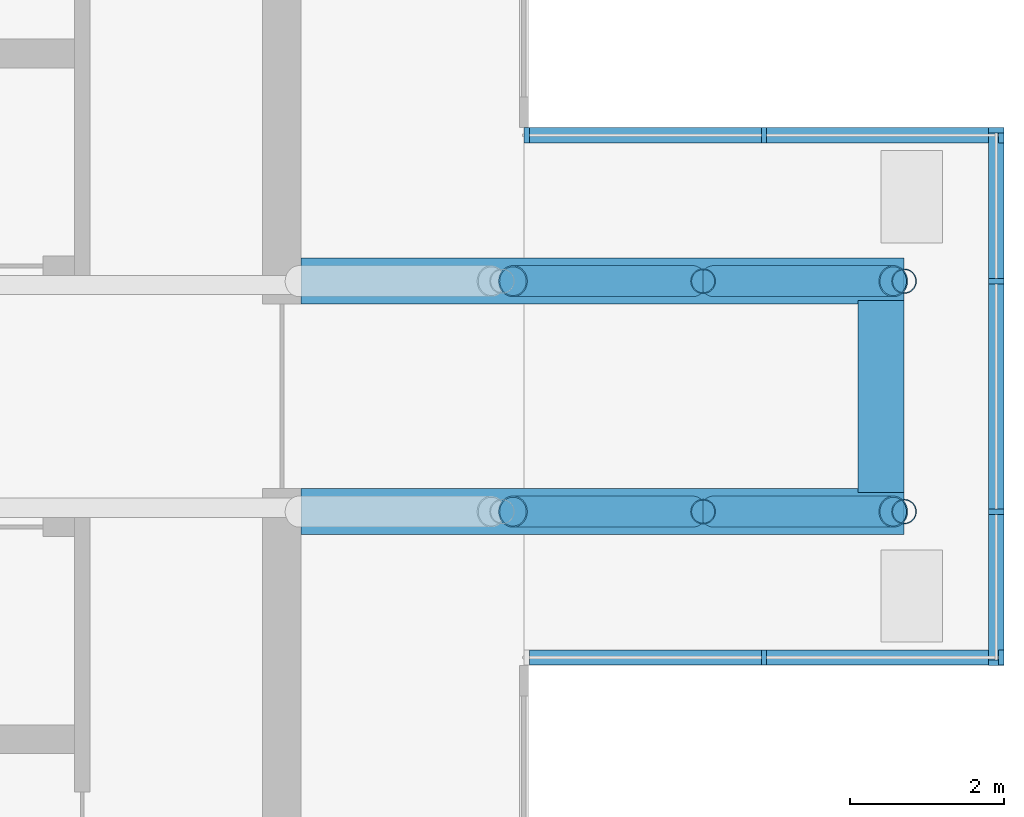
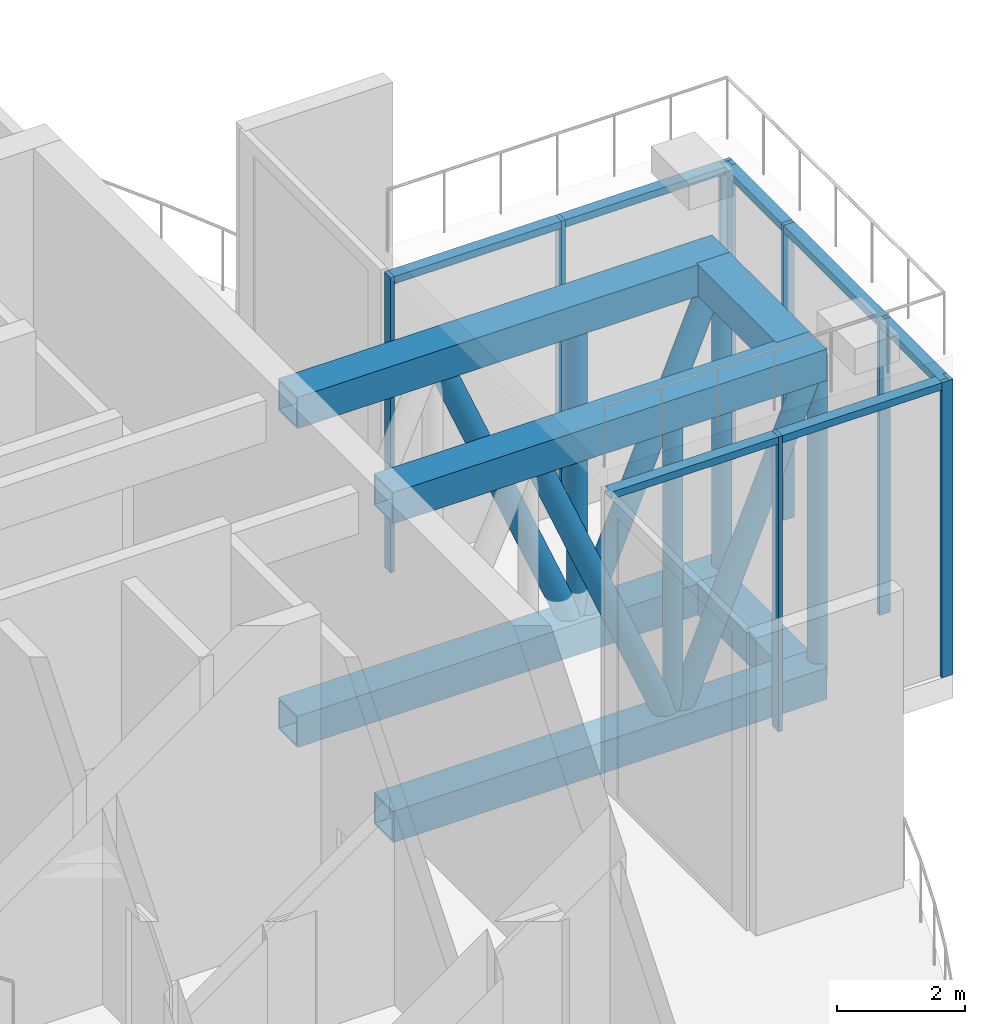
# One storey, part 8 of 24: 24 members, 6 beams, 3 elements without a shape of their own.
"""IFC4 building model written with IfcOpenShell, lengths in metres."""

from ifc_helpers import new_model, si_unit, direction, frame, origin, origin_2d, place, context, subcontext, project, spatial, rectangle, hollow_rectangle, hollow_circle, extrude, material, layer, layer_set, material_profile, profile_set, type_object, element, aggregate, save


model = new_model("IFC4")

# Units and contexts
model_context = context("Model", 3, precision=1e-05, world=origin(), true_north=direction((0.0, 1.0)))
body_context = subcontext(model_context, "Body", "Model", "MODEL_VIEW")
ifc_project = project(units=[si_unit("LENGTHUNIT", "METRE"), si_unit("AREAUNIT", "SQUARE_METRE"), si_unit("VOLUMEUNIT", "CUBIC_METRE"), si_unit("PLANEANGLEUNIT", "RADIAN"), si_unit("MASSUNIT", "GRAM", prefix="KILO")], contexts=[model_context])

# Site, building, storey
site_placement = place(None, origin())
site = spatial("IfcSite", under=ifc_project, at=site_placement, CompositionType="ELEMENT")
building_placement = place(site_placement, origin())
building = spatial("IfcBuilding", under=site, at=building_placement, Name="Maasbend Ring Residences", CompositionType="ELEMENT")
storey_placement = place(building_placement, frame((0.0, 0.0, 179.89990234375)))
storey = spatial("IfcBuildingStorey", under=building, at=storey_placement, Name="L52", CompositionType="ELEMENT", Elevation=179.89990234375)

# Curtain wall, members
ifc_material_1 = material(Name="Aluminium and clear glass", Category="aluminium")
ifc_layer = layer(ifc_material_1, 0.199951171875)
ifc_layer_set = layer_set([ifc_layer], Name="CW-GR")
curtain_wall_type = type_object("IfcCurtainWallType", Name="CW-GR", PredefinedType="NOTDEFINED", material=ifc_layer_set)
curtain_wall_1_placement = place(storey_placement, origin())
curtain_wall_1 = element("IfcCurtainWall", 1, at=curtain_wall_1_placement, inside=storey, type_object=curtain_wall_type, Name="Glass lounge curtain wall tip", PredefinedType="NOTDEFINED")
ifc_material_2 = material(Name="Aluminium 6063-T6", Category="aluminium")
ifc_material_profile_1 = material_profile(ifc_material_2, rectangle(XDim=0.199951171875, YDim=0.070068359375, at=origin_2d()), Name="AL 200x70")
ifc_profile_set_1 = profile_set([ifc_material_profile_1], Name="Aluminium 6063-T6")
member_type_1 = type_object("IfcMemberType", Name="CWM-GR", PredefinedType="MULLION", material=ifc_profile_set_1)
member_1_placement = place(storey_placement, frame((31.14990234375, -3.465087890625, 0.0), z_axis=(0.0, 0.0, 1.0), x_axis=(-1.0, 0.0, 0.0)))
member_1 = element("IfcMember", 2, at=member_1_placement, type_object=member_type_1, Name="Mullion glass room", PredefinedType="MULLION", context=body_context, shape_type="SweptSolid", body=[
    extrude(rectangle(XDim=0.199951171875, YDim=0.070068359375, at=origin_2d()), origin(), (0.0, 0.0, 1.0), 5.650146484375),
])
member_2_placement = place(storey_placement, frame((31.14990234375, -1.5, 0.0), z_axis=(0.0, 0.0, 1.0), x_axis=(-1.0, 0.0, 0.0)))
member_2 = element("IfcMember", 3, at=member_2_placement, type_object=member_type_1, Name="Mullion glass room", PredefinedType="MULLION", context=body_context, shape_type="SweptSolid", body=[
    extrude(rectangle(XDim=0.199951171875, YDim=0.070068359375, at=origin_2d()), origin(), (0.0, 0.0, 1.0), 5.650146484375),
])
member_3_placement = place(storey_placement, frame((31.14990234375, 1.5, 0.0), z_axis=(0.0, 0.0, 1.0), x_axis=(-1.0, 0.0, 0.0)))
member_3 = element("IfcMember", 4, at=member_3_placement, type_object=member_type_1, Name="Mullion glass room", PredefinedType="MULLION", context=body_context, shape_type="SweptSolid", body=[
    extrude(rectangle(XDim=0.199951171875, YDim=0.070068359375, at=origin_2d()), origin(), (0.0, 0.0, 1.0), 5.650146484375),
])
member_4_placement = place(storey_placement, frame((31.14990234375, 3.465087890625, 0.0), z_axis=(0.0, 0.0, 1.0), x_axis=(-1.0, 0.0, 0.0)))
member_4 = element("IfcMember", 5, at=member_4_placement, type_object=member_type_1, Name="Mullion glass room", PredefinedType="MULLION", context=body_context, shape_type="SweptSolid", body=[
    extrude(rectangle(XDim=0.199951171875, YDim=0.070068359375, at=origin_2d()), origin(), (0.0, 0.0, 1.0), 5.650146484375),
])

curtain_wall_2_placement = place(storey_placement, origin())
curtain_wall_2 = element("IfcCurtainWall", 6, at=curtain_wall_2_placement, inside=storey, type_object=curtain_wall_type, Name="Glass lounge curtain wall south", PredefinedType="NOTDEFINED")
member_5_placement = place(storey_placement, frame((28.125, -3.39990234375, 0.0), z_axis=(0.0, 0.0, 1.0), x_axis=(0.0, 1.0, 0.0)))
member_5 = element("IfcMember", 7, at=member_5_placement, type_object=member_type_1, Name="Mullion glass room", PredefinedType="MULLION", context=body_context, shape_type="SweptSolid", body=[
    extrude(rectangle(XDim=0.199951171875, YDim=0.070068359375, at=origin_2d()), origin(), (0.0, 0.0, 1.0), 5.650146484375),
])
member_6_placement = place(storey_placement, frame((31.215087890625, -3.39990234375, 0.0), z_axis=(0.0, 0.0, 1.0), x_axis=(0.0, 1.0, 0.0)))
member_6 = element("IfcMember", 8, at=member_6_placement, type_object=member_type_1, Name="Mullion glass room", PredefinedType="MULLION", context=body_context, shape_type="SweptSolid", body=[
    extrude(rectangle(XDim=0.199951171875, YDim=0.070068359375, at=origin_2d()), origin(), (0.0, 0.0, 1.0), 5.650146484375),
])

curtain_wall_3_placement = place(storey_placement, origin())
curtain_wall_3 = element("IfcCurtainWall", 9, at=curtain_wall_3_placement, inside=storey, type_object=curtain_wall_type, Name="Glass lounge curtain wall north", PredefinedType="NOTDEFINED")
member_7_placement = place(storey_placement, frame((25.034912109375, 3.39990234375, 0.0), z_axis=(0.0, 0.0, 1.0), x_axis=(0.0, 1.0, 0.0)))
member_7 = element("IfcMember", 10, at=member_7_placement, type_object=member_type_1, Name="Mullion glass room", PredefinedType="MULLION", context=body_context, shape_type="SweptSolid", body=[
    extrude(rectangle(XDim=0.199951171875, YDim=0.070068359375, at=origin_2d()), origin(), (0.0, 0.0, 1.0), 5.650146484375),
])
member_8_placement = place(storey_placement, frame((28.125, 3.39990234375, 0.0), z_axis=(0.0, 0.0, 1.0), x_axis=(0.0, 1.0, 0.0)))
member_8 = element("IfcMember", 11, at=member_8_placement, type_object=member_type_1, Name="Mullion glass room", PredefinedType="MULLION", context=body_context, shape_type="SweptSolid", body=[
    extrude(rectangle(XDim=0.199951171875, YDim=0.070068359375, at=origin_2d()), origin(), (0.0, 0.0, 1.0), 5.650146484375),
])
member_9_placement = place(storey_placement, frame((31.215087890625, 3.39990234375, 0.0), z_axis=(0.0, 0.0, 1.0), x_axis=(0.0, 1.0, 0.0)))
member_9 = element("IfcMember", 12, at=member_9_placement, type_object=member_type_1, Name="Mullion glass room", PredefinedType="MULLION", context=body_context, shape_type="SweptSolid", body=[
    extrude(rectangle(XDim=0.199951171875, YDim=0.070068359375, at=origin_2d()), origin(), (0.0, 0.0, 1.0), 5.650146484375),
])

# Member
ifc_material_3 = material(Name="Aluminium 6063-T6", Category="aluminium")
ifc_material_profile_2 = material_profile(ifc_material_3, rectangle(XDim=0.199951171875, YDim=0.139892578125, at=origin_2d()), Name="AL 200x140")
ifc_profile_set_2 = profile_set([ifc_material_profile_2], Name="Aluminium 6063-T6")
member_type_2 = type_object("IfcMemberType", Name="CWT-GR", PredefinedType="USERDEFINED", material=ifc_profile_set_2)
member_10_placement = place(storey_placement, frame((31.14990234375, -3.429931640625, 5.580078125), z_axis=(0.0, 1.0, 0.0), x_axis=(-1.0, 0.0, 0.0)))
member_10 = element("IfcMember", 13, at=member_10_placement, type_object=member_type_2, Name="Transom glass room", ObjectType="TRANSOM", PredefinedType="USERDEFINED", context=body_context, shape_type="SweptSolid", body=[
    extrude(rectangle(XDim=0.199951171875, YDim=0.139892578125, at=origin_2d()), origin(), (0.0, 0.0, 1.0), 1.89501953125),
])

member_11_placement = place(storey_placement, frame((31.14990234375, -1.465087890625, 5.580078125), z_axis=(0.0, 1.0, 0.0), x_axis=(-1.0, 0.0, 0.0)))
member_11 = element("IfcMember", 14, at=member_11_placement, type_object=member_type_2, Name="Transom glass room", ObjectType="TRANSOM", PredefinedType="USERDEFINED", context=body_context, shape_type="SweptSolid", body=[
    extrude(rectangle(XDim=0.199951171875, YDim=0.139892578125, at=origin_2d()), origin(), (0.0, 0.0, 1.0), 2.93017578125),
])

member_12_placement = place(storey_placement, frame((31.14990234375, 1.534912109375, 5.580078125), z_axis=(0.0, 1.0, 0.0), x_axis=(-1.0, 0.0, 0.0)))
member_12 = element("IfcMember", 15, at=member_12_placement, type_object=member_type_2, Name="Transom glass room", ObjectType="TRANSOM", PredefinedType="USERDEFINED", context=body_context, shape_type="SweptSolid", body=[
    extrude(rectangle(XDim=0.199951171875, YDim=0.139892578125, at=origin_2d()), origin(), (0.0, 0.0, 1.0), 1.89501953125),
])

aggregate(curtain_wall_1, [member_1, member_2, member_3, member_4, member_10, member_11, member_12])

member_13_placement = place(storey_placement, frame((25.070068359375, -3.39990234375, 5.580078125), z_axis=(1.0, 0.0, 0.0), x_axis=(0.0, 1.0, 0.0)))
member_13 = element("IfcMember", 16, at=member_13_placement, type_object=member_type_2, Name="Transom glass room", ObjectType="TRANSOM", PredefinedType="USERDEFINED", context=body_context, shape_type="SweptSolid", body=[
    extrude(rectangle(XDim=0.199951171875, YDim=0.139892578125, at=origin_2d()), origin(), (0.0, 0.0, 1.0), 3.02001953125),
])

member_14_placement = place(storey_placement, frame((28.159912109375, -3.39990234375, 5.580078125), z_axis=(1.0, 0.0, 0.0), x_axis=(0.0, 1.0, 0.0)))
member_14 = element("IfcMember", 17, at=member_14_placement, type_object=member_type_2, Name="Transom glass room", ObjectType="TRANSOM", PredefinedType="USERDEFINED", context=body_context, shape_type="SweptSolid", body=[
    extrude(rectangle(XDim=0.199951171875, YDim=0.139892578125, at=origin_2d()), origin(), (0.0, 0.0, 1.0), 3.02001953125),
])

aggregate(curtain_wall_2, [member_5, member_6, member_13, member_14])

member_15_placement = place(storey_placement, frame((25.070068359375, 3.39990234375, 5.580078125), z_axis=(1.0, 0.0, 0.0), x_axis=(0.0, 1.0, 0.0)))
member_15 = element("IfcMember", 18, at=member_15_placement, type_object=member_type_2, Name="Transom glass room", ObjectType="TRANSOM", PredefinedType="USERDEFINED", context=body_context, shape_type="SweptSolid", body=[
    extrude(rectangle(XDim=0.199951171875, YDim=0.139892578125, at=origin_2d()), origin(), (0.0, 0.0, 1.0), 3.02001953125),
])

member_16_placement = place(storey_placement, frame((28.159912109375, 3.39990234375, 5.580078125), z_axis=(1.0, 0.0, 0.0), x_axis=(0.0, 1.0, 0.0)))
member_16 = element("IfcMember", 19, at=member_16_placement, type_object=member_type_2, Name="Transom glass room", ObjectType="TRANSOM", PredefinedType="USERDEFINED", context=body_context, shape_type="SweptSolid", body=[
    extrude(rectangle(XDim=0.199951171875, YDim=0.139892578125, at=origin_2d()), origin(), (0.0, 0.0, 1.0), 3.02001953125),
])

aggregate(curtain_wall_3, [member_7, member_8, member_9, member_15, member_16])

# Beams
ifc_material_4 = material(Name="Steel S460M", Category="steel")
ifc_material_profile_3 = material_profile(ifc_material_4, hollow_rectangle(XDim=0.60009765625, YDim=0.60009765625, WallThickness=0.035888671875, at=origin_2d()), Name="Glass room truss chord BX 600x600x36")
ifc_profile_set_3 = profile_set([ifc_material_profile_3], Name="Steel S460M")
beam_type = type_object("IfcBeamType", Name="Glass room truss chord BX 600x600x36", PredefinedType="BEAM", material=ifc_profile_set_3)
for number, where, z_axis, x_axis, name in (
    (20, (22.10009765625, -1.5, -0.75), (1.0, 0.0, 0.0), (0.0, 1.0, 0.0), "Glass room truss E"),
    (21, (22.10009765625, -1.5, 5.35009765625), (1.0, 0.0, 0.0), (0.0, 1.0, 0.0), "Glass room truss E"),
):
    element("IfcBeam", number, at=place(storey_placement, frame(where, z_axis=z_axis, x_axis=x_axis)), inside=storey, type_object=beam_type, Name=name, PredefinedType="BEAM", context=body_context, shape_type="SweptSolid", body=[
        extrude(hollow_rectangle(XDim=0.60009765625, YDim=0.60009765625, WallThickness=0.035888671875, at=origin_2d()), origin(), (0.0, 0.0, 1.0), 7.849853515625),
    ])
for number, where, z_axis, x_axis, name in (
    (22, (29.64990234375, -1.25, 5.35009765625), (0.0, 1.0, 0.0), (-1.0, 0.0, 0.0), "Glass room tip beam E"),
    (23, (29.64990234375, -1.25, -0.75), (0.0, 1.0, 0.0), (-1.0, 0.0, 0.0), "Glass room lower tip beam E"),
):
    element("IfcBeam", number, at=place(storey_placement, frame(where, z_axis=z_axis, x_axis=x_axis)), inside=storey, type_object=beam_type, Name=name, PredefinedType="BEAM", context=body_context, shape_type="SweptSolid", body=[
        extrude(hollow_rectangle(XDim=0.60009765625, YDim=0.60009765625, WallThickness=0.035888671875, at=origin_2d()), origin(), (0.0, 0.0, 1.0), 2.5),
    ])
for number, where, z_axis, x_axis, name in (
    (24, (22.10009765625, 1.5, -0.75), (1.0, 0.0, 0.0), (0.0, 1.0, 0.0), "Glass room truss E"),
    (25, (22.10009765625, 1.5, 5.35009765625), (1.0, 0.0, 0.0), (0.0, 1.0, 0.0), "Glass room truss E"),
):
    element("IfcBeam", number, at=place(storey_placement, frame(where, z_axis=z_axis, x_axis=x_axis)), inside=storey, type_object=beam_type, Name=name, PredefinedType="BEAM", context=body_context, shape_type="SweptSolid", body=[
        extrude(hollow_rectangle(XDim=0.60009765625, YDim=0.60009765625, WallThickness=0.035888671875, at=origin_2d()), origin(), (0.0, 0.0, 1.0), 7.849853515625),
    ])

# Members
ifc_material_5 = material(Name="Steel S460NH", Category="steel")
ifc_material_profile_4 = material_profile(ifc_material_5, hollow_circle(Radius=0.203125, WallThickness=0.01611328125, at=origin_2d()), Name="Glass room truss diagonal CHS 406.4x16")
ifc_profile_set_4 = profile_set([ifc_material_profile_4], Name="Steel S460NH")
member_type_3 = type_object("IfcMemberType", Name="Glass room truss diagonal CHS 406.4x16", PredefinedType="BRACE", material=ifc_profile_set_4)
for number, where, z_axis, x_axis, name in (
    (26, (24.85791015625, -1.5, 5.10009765625), (0.384735387279, 0.0, -0.923026912812), (0.0, 1.0, 0.0), "Glass room truss E diagonal"),
    (27, (27.474365234375, -1.5, -0.5), (0.384769670171, 0.0, 0.923012622295), (0.0, 1.0, 0.0), "Glass room truss E diagonal"),
    (28, (24.85791015625, 1.5, 5.10009765625), (0.384735387279, 0.0, -0.923026912812), (0.0, 1.0, 0.0), "Glass room truss E diagonal"),
    (29, (27.474365234375, 1.5, -0.5), (0.384769670171, 0.0, 0.923012622295), (0.0, 1.0, 0.0), "Glass room truss E diagonal"),
):
    element("IfcMember", number, at=place(storey_placement, frame(where, z_axis=z_axis, x_axis=x_axis)), inside=storey, type_object=member_type_3, Name=name, PredefinedType="BRACE", context=body_context, shape_type="SweptSolid", body=[
        extrude(hollow_circle(Radius=0.203125, WallThickness=0.01611328125, at=origin_2d()), origin(), (0.0, 0.0, 1.0), 6.067138671875),
    ])
ifc_material_6 = material(Name="Steel S460NH", Category="steel")
ifc_material_profile_5 = material_profile(ifc_material_6, hollow_circle(Radius=0.161865234375, WallThickness=0.012451171875, at=origin_2d()), Name="Glass room truss post CHS 323.9x12.5")
ifc_profile_set_5 = profile_set([ifc_material_profile_5], Name="Steel S460NH")
member_type_4 = type_object("IfcMemberType", Name="Glass room truss post CHS 323.9x12.5", PredefinedType="POST", material=ifc_profile_set_5)
member_17_placement = place(storey_placement, frame((27.333251953125, -1.5, -0.449951171875), z_axis=(0.0, 0.0, 1.0), x_axis=(1.0, 0.0, 0.0)))
element("IfcMember", 30, at=member_17_placement, inside=storey, type_object=member_type_4, Name="Glass room truss E post", PredefinedType="POST", context=body_context, shape_type="SweptSolid", body=[
    extrude(hollow_circle(Radius=0.161865234375, WallThickness=0.012451171875, at=origin_2d()), origin(), (0.0, 0.0, 1.0), 5.5),
])
member_18_placement = place(storey_placement, frame((29.949951171875, -1.5, -0.75), z_axis=(0.0, 0.0, 1.0), x_axis=(1.0, 0.0, 0.0)))
element("IfcMember", 31, at=member_18_placement, inside=storey, type_object=member_type_4, Name="Glass room truss E post", PredefinedType="POST", context=body_context, shape_type="SweptSolid", body=[
    extrude(hollow_circle(Radius=0.161865234375, WallThickness=0.012451171875, at=origin_2d()), origin(), (0.0, 0.0, 1.0), 6.10009765625),
])
member_19_placement = place(storey_placement, frame((27.333251953125, 1.5, -0.449951171875), z_axis=(0.0, 0.0, 1.0), x_axis=(1.0, 0.0, 0.0)))
element("IfcMember", 32, at=member_19_placement, inside=storey, type_object=member_type_4, Name="Glass room truss E post", PredefinedType="POST", context=body_context, shape_type="SweptSolid", body=[
    extrude(hollow_circle(Radius=0.161865234375, WallThickness=0.012451171875, at=origin_2d()), origin(), (0.0, 0.0, 1.0), 5.5),
])
member_20_placement = place(storey_placement, frame((29.949951171875, 1.5, -0.75), z_axis=(0.0, 0.0, 1.0), x_axis=(1.0, 0.0, 0.0)))
element("IfcMember", 33, at=member_20_placement, inside=storey, type_object=member_type_4, Name="Glass room truss E post", PredefinedType="POST", context=body_context, shape_type="SweptSolid", body=[
    extrude(hollow_circle(Radius=0.161865234375, WallThickness=0.012451171875, at=origin_2d()), origin(), (0.0, 0.0, 1.0), 6.10009765625),
])

save(model, "model.ifc")
